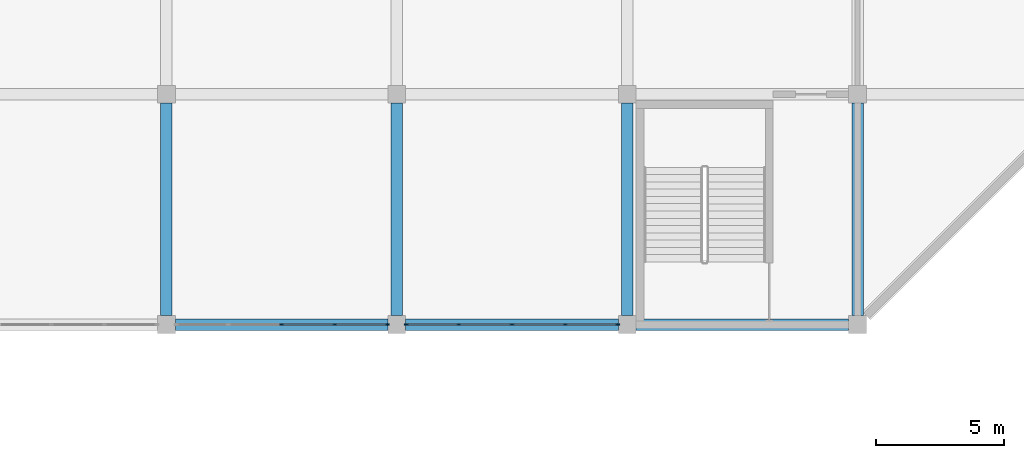
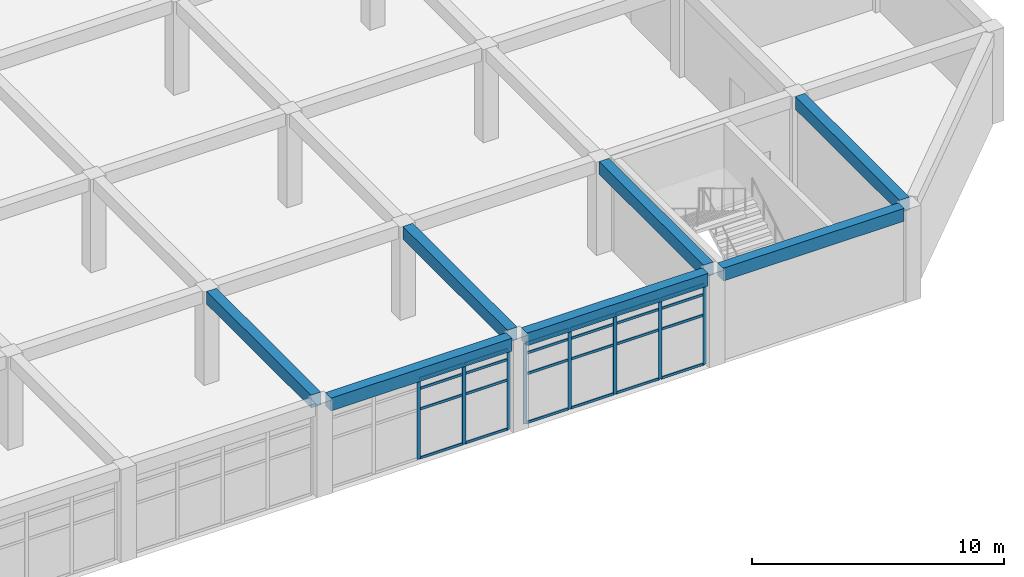
# One storey, part 11 of 42: 32 members, 7 beams, 2 elements without a shape of their own.
"""IFC4 building model written with IfcOpenShell, lengths in metres."""

import ifcopenshell
import ifcopenshell.guid

model = None  # the IFC model being written
_history = None  # IfcOwnerHistory: only IFC2X3 demands one
_inside = {}  # id of a spatial element -> (the spatial element, [elements in it])
_under = {}  # id of a project, library or spatial element -> (it, [spatial elements below it])
_declared = {}  # id of a project -> (the project, [libraries it declares])
_typed = {}  # id of a type object -> (the type object, [elements of that type])
_made_of = {}  # id of a material, layer set ... -> (it, [elements and type objects made of it])


def new_model(schema):
    """Start an empty IFC model of exactly this schema.

    Asked for "IFC4X3", IfcOpenShell would pick the latest addendum, in which some entities
    have other attributes; the version numbers below select the first issue.
    IFC2X3 requires an IfcOwnerHistory on every rooted entity: one is made here for all.
    """
    global model, _history
    if schema == "IFC4X3":
        model = ifcopenshell.file(schema_version=(4, 3, 0, 0))
    else:
        model = ifcopenshell.file(schema=schema)
    _inside.clear()
    _under.clear()
    _declared.clear()
    _typed.clear()
    _made_of.clear()
    _history = None
    if model.schema == "IFC2X3":
        org = make("IfcOrganization", Name="unknown")
        user = make(
            "IfcPersonAndOrganization",
            ThePerson=make("IfcPerson", FamilyName="unknown"),
            TheOrganization=org,
        )
        app = make(
            "IfcApplication",
            ApplicationDeveloper=org,
            Version="unknown",
            ApplicationFullName="unknown",
            ApplicationIdentifier="unknown",
        )
        _history = make(
            "IfcOwnerHistory",
            OwningUser=user,
            OwningApplication=app,
            ChangeAction="ADDED",
            CreationDate=0,
        )
    return model


def make(cls, **values):
    """One entity of the class cls with the attributes given. An attribute that is None is left unset."""
    return model.create_entity(
        cls, **{name: value for name, value in values.items() if value is not None}
    )


def rooted(cls, **values):
    """An entity with a GlobalId (a new one), such as an element, a storey or a relation."""
    return make(cls, GlobalId=ifcopenshell.guid.new(), OwnerHistory=_history, **values)


def si_unit(unit_type, name, prefix=None):
    """IfcSIUnit, for example si_unit("LENGTHUNIT", "METRE", prefix="MILLI")."""
    return make("IfcSIUnit", UnitType=unit_type, Prefix=prefix, Name=name)


def assignment(units):
    """IfcUnitAssignment: the units of a project."""
    return None if units is None else make("IfcUnitAssignment", Units=units)


def point(xyz):
    """IfcCartesianPoint."""
    return None if xyz is None else make("IfcCartesianPoint", Coordinates=xyz)


def direction(xyz):
    """IfcDirection."""
    return None if xyz is None else make("IfcDirection", DirectionRatios=xyz)


def frame(location, z_axis=None, x_axis=None):
    """IfcAxis2Placement3D, a coordinate frame: its origin and axes. An axis left out is left unset."""
    return make(
        "IfcAxis2Placement3D",
        Location=point(location),
        Axis=direction(z_axis),
        RefDirection=direction(x_axis),
    )


def frame_2d(location, x_axis=None):
    """IfcAxis2Placement2D, a coordinate frame in the plane: its origin and x axis."""
    return make(
        "IfcAxis2Placement2D", Location=point(location), RefDirection=direction(x_axis)
    )


def origin():
    """The frame at (0, 0, 0) with its axes left unset."""
    return frame((0.0, 0.0, 0.0))


def origin_2d():
    """The frame at (0, 0) in the plane with its x axis left unset."""
    return frame_2d((0.0, 0.0))


def place(relative_to, where):
    """IfcLocalPlacement: puts the frame where relative to a parent placement (None: the world)."""
    return make(
        "IfcLocalPlacement", PlacementRelTo=relative_to, RelativePlacement=where
    )


def context(
    kind, dimensions, precision=None, world=None, true_north=None, identifier=None
):
    """IfcGeometricRepresentationContext, for example the 3D "Model" context."""
    return make(
        "IfcGeometricRepresentationContext",
        ContextIdentifier=identifier,
        ContextType=kind,
        CoordinateSpaceDimension=dimensions,
        Precision=precision,
        WorldCoordinateSystem=world,
        TrueNorth=true_north,
    )


def subcontext(parent, identifier, kind, view, scale=None):
    """IfcGeometricRepresentationSubContext, for example "Body" below "Model"."""
    return make(
        "IfcGeometricRepresentationSubContext",
        ContextIdentifier=identifier,
        ContextType=kind,
        ParentContext=parent,
        TargetScale=scale,
        TargetView=view,
    )


def project(units=None, contexts=None):
    """IfcProject with its units and contexts."""
    return rooted(
        "IfcProject",
        Name="project",
        RepresentationContexts=contexts,
        UnitsInContext=assignment(units),
    )


def spatial(cls, under=None, at=None, **own):
    """A site, building, storey or space (cls), placed at a placement, below another one or the project."""
    s = rooted(cls, ObjectPlacement=at, **own)
    if under is not None:
        _under.setdefault(under.id(), (under, []))[1].append(s)
    return s


def profile(cls, at=None, kind="AREA", **sizes):
    """A parametric profile (cls). Its sizes go by their IFC names, for example OverallWidth=200.0."""
    return make(cls, ProfileType=kind, Position=at, **sizes)


def rectangle(**sizes):
    """IfcRectangleProfileDef."""
    return profile("IfcRectangleProfileDef", **sizes)


def extrude(swept, where, along, depth):
    """IfcExtrudedAreaSolid: the profile swept, set in the frame where, extruded along a direction by depth."""
    return make(
        "IfcExtrudedAreaSolid",
        SweptArea=swept,
        Position=where,
        ExtrudedDirection=direction(along),
        Depth=depth,
    )


def shape(context_of_items, identifier, shape_type, items):
    """IfcShapeRepresentation: the items that make up one representation, for example the "Body"."""
    return make(
        "IfcShapeRepresentation",
        ContextOfItems=context_of_items,
        RepresentationIdentifier=identifier,
        RepresentationType=shape_type,
        Items=items,
    )


def material(Name=None, Category=None):
    """IfcMaterial."""
    return make("IfcMaterial", Name=Name, Category=Category)


def layer(
    of_material, thickness, ventilated=None, Name=None, Category=None, Priority=None
):
    """IfcMaterialLayer: one layer of a wall or slab, of a material (None: an air gap)."""
    return make(
        "IfcMaterialLayer",
        Material=of_material,
        LayerThickness=thickness,
        IsVentilated=ventilated,
        Name=Name,
        Category=Category,
        Priority=Priority,
    )


def layer_set(layers, Name=None):
    """IfcMaterialLayerSet."""
    return make("IfcMaterialLayerSet", MaterialLayers=layers, LayerSetName=Name)


def material_profile(
    of_material, cross_section, Name=None, Category=None, Priority=None
):
    """IfcMaterialProfile: a cross section and its material."""
    return make(
        "IfcMaterialProfile",
        Name=Name,
        Material=of_material,
        Profile=cross_section,
        Priority=Priority,
        Category=Category,
    )


def profile_set(profiles, Name=None, composite=None):
    """IfcMaterialProfileSet."""
    return make(
        "IfcMaterialProfileSet",
        Name=Name,
        MaterialProfiles=profiles,
        CompositeProfile=composite,
    )


def made_of(thing, what):
    """Note that an element or type object is made of a material, layer set ...; save() writes the relation."""
    if what is not None:
        _made_of.setdefault(what.id(), (what, []))[1].append(thing)
    return thing


def type_object(cls, material=None, **own):
    """A type object (cls), such as IfcWallType, which elements share."""
    return made_of(rooted(cls, **own), material)


def element(
    cls,
    number,
    at=None,
    inside=None,
    cuts=None,
    type_object=None,
    material=None,
    context=None,
    identifier="Body",
    shape_type=None,
    held_by="IfcProductDefinitionShape",
    body=None,
    shapes=None,
    **own,
):
    """One element of the class cls, such as IfcWall. Its Tag is "e" and its number.

    at: its placement. inside: the storey or other place that contains it. cuts: it is an
    opening in that element (IfcRelVoidsElement). A single representation is given by context,
    identifier, shape_type and body (its items); several are given by shapes. held_by: the class
    of the entity that holds the representations. save() writes the other relations.
    """
    e = rooted(cls, Tag="e%d" % number, ObjectPlacement=at, **own)
    if body is not None:
        shapes = [shape(context, identifier, shape_type, body)]
    if shapes is not None:
        e.Representation = make(held_by, Representations=shapes)
    if inside is not None:
        _inside.setdefault(inside.id(), (inside, []))[1].append(e)
    if cuts is not None:
        rooted(
            "IfcRelVoidsElement", RelatingBuildingElement=cuts, RelatedOpeningElement=e
        )
    if type_object is not None:
        _typed.setdefault(type_object.id(), (type_object, []))[1].append(e)
    return made_of(e, material)


def aggregate(whole, parts):
    """IfcRelAggregates: a whole, such as a stair, and the parts it consists of."""
    return rooted("IfcRelAggregates", RelatingObject=whole, RelatedObjects=parts)


def save(model, path):
    """Write the relations noted so far, then the file.

    IfcRelAggregates (storeys below a building ...), IfcRelContainedInSpatialStructure (elements
    in a storey), IfcRelDefinesByType, IfcRelAssociatesMaterial and IfcRelDeclares: one each for
    every whole, place, type object, material and project.
    """
    for whole, parts in _under.values():
        aggregate(whole, parts)
    for where, things in _inside.values():
        rooted(
            "IfcRelContainedInSpatialStructure",
            RelatedElements=things,
            RelatingStructure=where,
        )
    for kind, things in _typed.values():
        rooted("IfcRelDefinesByType", RelatedObjects=things, RelatingType=kind)
    for what, things in _made_of.values():
        rooted("IfcRelAssociatesMaterial", RelatedObjects=things, RelatingMaterial=what)
    for by, libraries in _declared.values():
        rooted("IfcRelDeclares", RelatingContext=by, RelatedDefinitions=libraries)
    model.write(path)


model = new_model("IFC4")

# Units and contexts
model_context = context("Model", 3, precision=1e-05, world=origin(), true_north=direction((0.0, 1.0)))
body_context = subcontext(model_context, "Body", "Model", "MODEL_VIEW")
ifc_project = project(units=[si_unit("LENGTHUNIT", "METRE"), si_unit("AREAUNIT", "SQUARE_METRE"), si_unit("VOLUMEUNIT", "CUBIC_METRE"), si_unit("PLANEANGLEUNIT", "RADIAN"), si_unit("MASSUNIT", "GRAM", prefix="KILO")], contexts=[model_context])

# Site, building, storey
site_placement = place(None, origin())
site = spatial("IfcSite", under=ifc_project, at=site_placement, CompositionType="ELEMENT")
building_placement = place(site_placement, origin())
building = spatial("IfcBuilding", under=site, at=building_placement, Name="Dhurran Vertical Campus", CompositionType="ELEMENT")
storey_placement = place(building_placement, frame((0.0, 0.0, 6.0)))
storey = spatial("IfcBuildingStorey", under=building, at=storey_placement, Name="L01", CompositionType="ELEMENT", Elevation=6.0)

# Curtain wall, members
ifc_material_1 = material(Name="Aluminium", Category="aluminium")
ifc_layer = layer(ifc_material_1, 0.159912109375)
ifc_layer_set = layer_set([ifc_layer], Name="Aluminium")
curtain_wall_type = type_object("IfcCurtainWallType", Name="hl-curtain wall system", PredefinedType="NOTDEFINED", material=ifc_layer_set)
curtain_wall_1_placement = place(storey_placement, origin())
curtain_wall_1 = element("IfcCurtainWall", 1, at=curtain_wall_1_placement, inside=storey, type_object=curtain_wall_type, Name="Hall curtain wall L01-07", PredefinedType="NOTDEFINED")
ifc_material_2 = material(Name="Aluminium", Category="aluminium")
ifc_material_profile_1 = material_profile(ifc_material_2, rectangle(XDim=0.06005859375, YDim=0.159912109375, at=origin_2d()), Name="hl-cw mullion 60x160")
ifc_profile_set_1 = profile_set([ifc_material_profile_1], Name="Aluminium")
member_type_1 = type_object("IfcMemberType", Name="hl-cw mullion 60x160", PredefinedType="MULLION", material=ifc_profile_set_1)
member_1_placement = place(storey_placement, frame((102.0, -27.0, 0.0), z_axis=(0.0, 0.0, 1.0), x_axis=(0.0, 1.0, 0.0)))
member_1 = element("IfcMember", 2, at=member_1_placement, type_object=member_type_1, Name="HCW mullion 3", PredefinedType="MULLION", context=body_context, shape_type="SweptSolid", body=[
    extrude(rectangle(XDim=0.06005859375, YDim=0.159912109375, at=origin_2d()), origin(), (0.0, 0.0, 1.0), 3.89990234375),
])
member_2_placement = place(storey_placement, frame((104.074951171875, -27.0, 0.0), z_axis=(0.0, 0.0, 1.0), x_axis=(0.0, 1.0, 0.0)))
member_2 = element("IfcMember", 3, at=member_2_placement, type_object=member_type_1, Name="HCW mullion 4", PredefinedType="MULLION", context=body_context, shape_type="SweptSolid", body=[
    extrude(rectangle(XDim=0.06005859375, YDim=0.159912109375, at=origin_2d()), origin(), (0.0, 0.0, 1.0), 3.89990234375),
])
member_3_placement = place(storey_placement, frame((106.1201171875, -27.0, 0.0), z_axis=(0.0, 0.0, 1.0), x_axis=(0.0, 1.0, 0.0)))
member_3 = element("IfcMember", 4, at=member_3_placement, type_object=member_type_1, Name="HCW mullion 5", PredefinedType="MULLION", context=body_context, shape_type="SweptSolid", body=[
    extrude(rectangle(XDim=0.06005859375, YDim=0.159912109375, at=origin_2d()), origin(), (0.0, 0.0, 1.0), 3.89990234375),
])

curtain_wall_2_placement = place(storey_placement, origin())
curtain_wall_2 = element("IfcCurtainWall", 5, at=curtain_wall_2_placement, inside=storey, type_object=curtain_wall_type, Name="Hall curtain wall L01-08", PredefinedType="NOTDEFINED")
member_4_placement = place(storey_placement, frame((106.8798828125, -27.0, 0.0), z_axis=(0.0, 0.0, 1.0), x_axis=(0.0, 1.0, 0.0)))
member_4 = element("IfcMember", 6, at=member_4_placement, type_object=member_type_1, Name="HCW mullion 1", PredefinedType="MULLION", context=body_context, shape_type="SweptSolid", body=[
    extrude(rectangle(XDim=0.06005859375, YDim=0.159912109375, at=origin_2d()), origin(), (0.0, 0.0, 1.0), 3.89990234375),
])
member_5_placement = place(storey_placement, frame((108.925048828125, -27.0, 0.0), z_axis=(0.0, 0.0, 1.0), x_axis=(0.0, 1.0, 0.0)))
member_5 = element("IfcMember", 7, at=member_5_placement, type_object=member_type_1, Name="HCW mullion 2", PredefinedType="MULLION", context=body_context, shape_type="SweptSolid", body=[
    extrude(rectangle(XDim=0.06005859375, YDim=0.159912109375, at=origin_2d()), origin(), (0.0, 0.0, 1.0), 3.89990234375),
])
member_6_placement = place(storey_placement, frame((111.0, -27.0, 0.0), z_axis=(0.0, 0.0, 1.0), x_axis=(0.0, 1.0, 0.0)))
member_6 = element("IfcMember", 8, at=member_6_placement, type_object=member_type_1, Name="HCW mullion 3", PredefinedType="MULLION", context=body_context, shape_type="SweptSolid", body=[
    extrude(rectangle(XDim=0.06005859375, YDim=0.159912109375, at=origin_2d()), origin(), (0.0, 0.0, 1.0), 3.89990234375),
])
member_7_placement = place(storey_placement, frame((113.074951171875, -27.0, 0.0), z_axis=(0.0, 0.0, 1.0), x_axis=(0.0, 1.0, 0.0)))
member_7 = element("IfcMember", 9, at=member_7_placement, type_object=member_type_1, Name="HCW mullion 4", PredefinedType="MULLION", context=body_context, shape_type="SweptSolid", body=[
    extrude(rectangle(XDim=0.06005859375, YDim=0.159912109375, at=origin_2d()), origin(), (0.0, 0.0, 1.0), 3.89990234375),
])
member_8_placement = place(storey_placement, frame((115.1201171875, -27.0, 0.0), z_axis=(0.0, 0.0, 1.0), x_axis=(0.0, 1.0, 0.0)))
member_8 = element("IfcMember", 10, at=member_8_placement, type_object=member_type_1, Name="HCW mullion 5", PredefinedType="MULLION", context=body_context, shape_type="SweptSolid", body=[
    extrude(rectangle(XDim=0.06005859375, YDim=0.159912109375, at=origin_2d()), origin(), (0.0, 0.0, 1.0), 3.89990234375),
])

# Member
ifc_material_3 = material(Name="Aluminium", Category="aluminium")
ifc_material_profile_2 = material_profile(ifc_material_3, rectangle(XDim=0.06005859375, YDim=0.1201171875, at=origin_2d()), Name="hl-cw transom 60x120")
ifc_profile_set_2 = profile_set([ifc_material_profile_2], Name="Aluminium")
member_type_2 = type_object("IfcMemberType", Name="hl-cw transom 60x120", PredefinedType="USERDEFINED", material=ifc_profile_set_2)
member_9_placement = place(storey_placement, frame((102.030029296875, -27.0, 0.030029296875), z_axis=(1.0, 0.0, 0.0), x_axis=(0.0, 1.0, 0.0)))
member_9 = element("IfcMember", 11, at=member_9_placement, type_object=member_type_2, Name="HCW transom 3.1", ObjectType="TRANSOM", PredefinedType="USERDEFINED", context=body_context, shape_type="SweptSolid", body=[
    extrude(rectangle(XDim=0.06005859375, YDim=0.1201171875, at=origin_2d()), origin(), (0.0, 0.0, 1.0), 2.014892578125),
])

member_10_placement = place(storey_placement, frame((102.030029296875, -27.0, 2.39990234375), z_axis=(1.0, 0.0, 0.0), x_axis=(0.0, 1.0, 0.0)))
member_10 = element("IfcMember", 12, at=member_10_placement, type_object=member_type_2, Name="HCW transom 3.2", ObjectType="TRANSOM", PredefinedType="USERDEFINED", context=body_context, shape_type="SweptSolid", body=[
    extrude(rectangle(XDim=0.06005859375, YDim=0.1201171875, at=origin_2d()), origin(), (0.0, 0.0, 1.0), 2.014892578125),
])

member_11_placement = place(storey_placement, frame((102.030029296875, -27.0, 3.39990234375), z_axis=(1.0, 0.0, 0.0), x_axis=(0.0, 1.0, 0.0)))
member_11 = element("IfcMember", 13, at=member_11_placement, type_object=member_type_2, Name="HCW transom 3.3", ObjectType="TRANSOM", PredefinedType="USERDEFINED", context=body_context, shape_type="SweptSolid", body=[
    extrude(rectangle(XDim=0.06005859375, YDim=0.1201171875, at=origin_2d()), origin(), (0.0, 0.0, 1.0), 2.014892578125),
])

member_12_placement = place(storey_placement, frame((102.030029296875, -27.0, 3.8701171875), z_axis=(1.0, 0.0, 0.0), x_axis=(0.0, 1.0, 0.0)))
member_12 = element("IfcMember", 14, at=member_12_placement, type_object=member_type_2, Name="HCW transom 3.4", ObjectType="TRANSOM", PredefinedType="USERDEFINED", context=body_context, shape_type="SweptSolid", body=[
    extrude(rectangle(XDim=0.06005859375, YDim=0.1201171875, at=origin_2d()), origin(), (0.0, 0.0, 1.0), 2.014892578125),
])

member_13_placement = place(storey_placement, frame((104.10498046875, -27.0, 0.030029296875), z_axis=(1.0, 0.0, 0.0), x_axis=(0.0, 1.0, 0.0)))
member_13 = element("IfcMember", 15, at=member_13_placement, type_object=member_type_2, Name="HCW transom 4.1", ObjectType="TRANSOM", PredefinedType="USERDEFINED", context=body_context, shape_type="SweptSolid", body=[
    extrude(rectangle(XDim=0.06005859375, YDim=0.1201171875, at=origin_2d()), origin(), (0.0, 0.0, 1.0), 1.985107421875),
])

member_14_placement = place(storey_placement, frame((104.10498046875, -27.0, 2.39990234375), z_axis=(1.0, 0.0, 0.0), x_axis=(0.0, 1.0, 0.0)))
member_14 = element("IfcMember", 16, at=member_14_placement, type_object=member_type_2, Name="HCW transom 4.2", ObjectType="TRANSOM", PredefinedType="USERDEFINED", context=body_context, shape_type="SweptSolid", body=[
    extrude(rectangle(XDim=0.06005859375, YDim=0.1201171875, at=origin_2d()), origin(), (0.0, 0.0, 1.0), 1.985107421875),
])

member_15_placement = place(storey_placement, frame((104.10498046875, -27.0, 3.39990234375), z_axis=(1.0, 0.0, 0.0), x_axis=(0.0, 1.0, 0.0)))
member_15 = element("IfcMember", 17, at=member_15_placement, type_object=member_type_2, Name="HCW transom 4.3", ObjectType="TRANSOM", PredefinedType="USERDEFINED", context=body_context, shape_type="SweptSolid", body=[
    extrude(rectangle(XDim=0.06005859375, YDim=0.1201171875, at=origin_2d()), origin(), (0.0, 0.0, 1.0), 1.985107421875),
])

member_16_placement = place(storey_placement, frame((104.10498046875, -27.0, 3.8701171875), z_axis=(1.0, 0.0, 0.0), x_axis=(0.0, 1.0, 0.0)))
member_16 = element("IfcMember", 18, at=member_16_placement, type_object=member_type_2, Name="HCW transom 4.4", ObjectType="TRANSOM", PredefinedType="USERDEFINED", context=body_context, shape_type="SweptSolid", body=[
    extrude(rectangle(XDim=0.06005859375, YDim=0.1201171875, at=origin_2d()), origin(), (0.0, 0.0, 1.0), 1.985107421875),
])

aggregate(curtain_wall_1, [member_1, member_2, member_3, member_9, member_10, member_11, member_12, member_13, member_14, member_15, member_16])

member_17_placement = place(storey_placement, frame((106.909912109375, -27.0, 0.030029296875), z_axis=(1.0, 0.0, 0.0), x_axis=(0.0, 1.0, 0.0)))
member_17 = element("IfcMember", 19, at=member_17_placement, type_object=member_type_2, Name="HCW transom 1.1", ObjectType="TRANSOM", PredefinedType="USERDEFINED", context=body_context, shape_type="SweptSolid", body=[
    extrude(rectangle(XDim=0.06005859375, YDim=0.1201171875, at=origin_2d()), origin(), (0.0, 0.0, 1.0), 1.985107421875),
])

member_18_placement = place(storey_placement, frame((106.909912109375, -27.0, 2.39990234375), z_axis=(1.0, 0.0, 0.0), x_axis=(0.0, 1.0, 0.0)))
member_18 = element("IfcMember", 20, at=member_18_placement, type_object=member_type_2, Name="HCW transom 1.2", ObjectType="TRANSOM", PredefinedType="USERDEFINED", context=body_context, shape_type="SweptSolid", body=[
    extrude(rectangle(XDim=0.06005859375, YDim=0.1201171875, at=origin_2d()), origin(), (0.0, 0.0, 1.0), 1.985107421875),
])

member_19_placement = place(storey_placement, frame((106.909912109375, -27.0, 3.39990234375), z_axis=(1.0, 0.0, 0.0), x_axis=(0.0, 1.0, 0.0)))
member_19 = element("IfcMember", 21, at=member_19_placement, type_object=member_type_2, Name="HCW transom 1.3", ObjectType="TRANSOM", PredefinedType="USERDEFINED", context=body_context, shape_type="SweptSolid", body=[
    extrude(rectangle(XDim=0.06005859375, YDim=0.1201171875, at=origin_2d()), origin(), (0.0, 0.0, 1.0), 1.985107421875),
])

member_20_placement = place(storey_placement, frame((106.909912109375, -27.0, 3.8701171875), z_axis=(1.0, 0.0, 0.0), x_axis=(0.0, 1.0, 0.0)))
member_20 = element("IfcMember", 22, at=member_20_placement, type_object=member_type_2, Name="HCW transom 1.4", ObjectType="TRANSOM", PredefinedType="USERDEFINED", context=body_context, shape_type="SweptSolid", body=[
    extrude(rectangle(XDim=0.06005859375, YDim=0.1201171875, at=origin_2d()), origin(), (0.0, 0.0, 1.0), 1.985107421875),
])

member_21_placement = place(storey_placement, frame((108.955078125, -27.0, 0.030029296875), z_axis=(1.0, 0.0, 0.0), x_axis=(0.0, 1.0, 0.0)))
member_21 = element("IfcMember", 23, at=member_21_placement, type_object=member_type_2, Name="HCW transom 2.1", ObjectType="TRANSOM", PredefinedType="USERDEFINED", context=body_context, shape_type="SweptSolid", body=[
    extrude(rectangle(XDim=0.06005859375, YDim=0.1201171875, at=origin_2d()), origin(), (0.0, 0.0, 1.0), 2.014892578125),
])

member_22_placement = place(storey_placement, frame((108.955078125, -27.0, 2.39990234375), z_axis=(1.0, 0.0, 0.0), x_axis=(0.0, 1.0, 0.0)))
member_22 = element("IfcMember", 24, at=member_22_placement, type_object=member_type_2, Name="HCW transom 2.2", ObjectType="TRANSOM", PredefinedType="USERDEFINED", context=body_context, shape_type="SweptSolid", body=[
    extrude(rectangle(XDim=0.06005859375, YDim=0.1201171875, at=origin_2d()), origin(), (0.0, 0.0, 1.0), 2.014892578125),
])

member_23_placement = place(storey_placement, frame((108.955078125, -27.0, 3.39990234375), z_axis=(1.0, 0.0, 0.0), x_axis=(0.0, 1.0, 0.0)))
member_23 = element("IfcMember", 25, at=member_23_placement, type_object=member_type_2, Name="HCW transom 2.3", ObjectType="TRANSOM", PredefinedType="USERDEFINED", context=body_context, shape_type="SweptSolid", body=[
    extrude(rectangle(XDim=0.06005859375, YDim=0.1201171875, at=origin_2d()), origin(), (0.0, 0.0, 1.0), 2.014892578125),
])

member_24_placement = place(storey_placement, frame((108.955078125, -27.0, 3.8701171875), z_axis=(1.0, 0.0, 0.0), x_axis=(0.0, 1.0, 0.0)))
member_24 = element("IfcMember", 26, at=member_24_placement, type_object=member_type_2, Name="HCW transom 2.4", ObjectType="TRANSOM", PredefinedType="USERDEFINED", context=body_context, shape_type="SweptSolid", body=[
    extrude(rectangle(XDim=0.06005859375, YDim=0.1201171875, at=origin_2d()), origin(), (0.0, 0.0, 1.0), 2.014892578125),
])

member_25_placement = place(storey_placement, frame((111.030029296875, -27.0, 0.030029296875), z_axis=(1.0, 0.0, 0.0), x_axis=(0.0, 1.0, 0.0)))
member_25 = element("IfcMember", 27, at=member_25_placement, type_object=member_type_2, Name="HCW transom 3.1", ObjectType="TRANSOM", PredefinedType="USERDEFINED", context=body_context, shape_type="SweptSolid", body=[
    extrude(rectangle(XDim=0.06005859375, YDim=0.1201171875, at=origin_2d()), origin(), (0.0, 0.0, 1.0), 2.014892578125),
])

member_26_placement = place(storey_placement, frame((111.030029296875, -27.0, 2.39990234375), z_axis=(1.0, 0.0, 0.0), x_axis=(0.0, 1.0, 0.0)))
member_26 = element("IfcMember", 28, at=member_26_placement, type_object=member_type_2, Name="HCW transom 3.2", ObjectType="TRANSOM", PredefinedType="USERDEFINED", context=body_context, shape_type="SweptSolid", body=[
    extrude(rectangle(XDim=0.06005859375, YDim=0.1201171875, at=origin_2d()), origin(), (0.0, 0.0, 1.0), 2.014892578125),
])

member_27_placement = place(storey_placement, frame((111.030029296875, -27.0, 3.39990234375), z_axis=(1.0, 0.0, 0.0), x_axis=(0.0, 1.0, 0.0)))
member_27 = element("IfcMember", 29, at=member_27_placement, type_object=member_type_2, Name="HCW transom 3.3", ObjectType="TRANSOM", PredefinedType="USERDEFINED", context=body_context, shape_type="SweptSolid", body=[
    extrude(rectangle(XDim=0.06005859375, YDim=0.1201171875, at=origin_2d()), origin(), (0.0, 0.0, 1.0), 2.014892578125),
])

member_28_placement = place(storey_placement, frame((111.030029296875, -27.0, 3.8701171875), z_axis=(1.0, 0.0, 0.0), x_axis=(0.0, 1.0, 0.0)))
member_28 = element("IfcMember", 30, at=member_28_placement, type_object=member_type_2, Name="HCW transom 3.4", ObjectType="TRANSOM", PredefinedType="USERDEFINED", context=body_context, shape_type="SweptSolid", body=[
    extrude(rectangle(XDim=0.06005859375, YDim=0.1201171875, at=origin_2d()), origin(), (0.0, 0.0, 1.0), 2.014892578125),
])

member_29_placement = place(storey_placement, frame((113.10498046875, -27.0, 0.030029296875), z_axis=(1.0, 0.0, 0.0), x_axis=(0.0, 1.0, 0.0)))
member_29 = element("IfcMember", 31, at=member_29_placement, type_object=member_type_2, Name="HCW transom 4.1", ObjectType="TRANSOM", PredefinedType="USERDEFINED", context=body_context, shape_type="SweptSolid", body=[
    extrude(rectangle(XDim=0.06005859375, YDim=0.1201171875, at=origin_2d()), origin(), (0.0, 0.0, 1.0), 1.985107421875),
])

member_30_placement = place(storey_placement, frame((113.10498046875, -27.0, 2.39990234375), z_axis=(1.0, 0.0, 0.0), x_axis=(0.0, 1.0, 0.0)))
member_30 = element("IfcMember", 32, at=member_30_placement, type_object=member_type_2, Name="HCW transom 4.2", ObjectType="TRANSOM", PredefinedType="USERDEFINED", context=body_context, shape_type="SweptSolid", body=[
    extrude(rectangle(XDim=0.06005859375, YDim=0.1201171875, at=origin_2d()), origin(), (0.0, 0.0, 1.0), 1.985107421875),
])

member_31_placement = place(storey_placement, frame((113.10498046875, -27.0, 3.39990234375), z_axis=(1.0, 0.0, 0.0), x_axis=(0.0, 1.0, 0.0)))
member_31 = element("IfcMember", 33, at=member_31_placement, type_object=member_type_2, Name="HCW transom 4.3", ObjectType="TRANSOM", PredefinedType="USERDEFINED", context=body_context, shape_type="SweptSolid", body=[
    extrude(rectangle(XDim=0.06005859375, YDim=0.1201171875, at=origin_2d()), origin(), (0.0, 0.0, 1.0), 1.985107421875),
])

member_32_placement = place(storey_placement, frame((113.10498046875, -27.0, 3.8701171875), z_axis=(1.0, 0.0, 0.0), x_axis=(0.0, 1.0, 0.0)))
member_32 = element("IfcMember", 34, at=member_32_placement, type_object=member_type_2, Name="HCW transom 4.4", ObjectType="TRANSOM", PredefinedType="USERDEFINED", context=body_context, shape_type="SweptSolid", body=[
    extrude(rectangle(XDim=0.06005859375, YDim=0.1201171875, at=origin_2d()), origin(), (0.0, 0.0, 1.0), 1.985107421875),
])

aggregate(curtain_wall_2, [member_4, member_5, member_6, member_7, member_8, member_17, member_18, member_19, member_20, member_21, member_22, member_23, member_24, member_25, member_26, member_27, member_28, member_29, member_30, member_31, member_32])

# Beams
ifc_material_4 = material(Name="Concrete C40/50", Category="concrete")
ifc_material_profile_3 = material_profile(ifc_material_4, rectangle(XDim=0.449951171875, YDim=0.6201171875, at=origin_2d()), Name="hl-girder 450x620")
ifc_profile_set_3 = profile_set([ifc_material_profile_3], Name="Concrete C40/50")
beam_type = type_object("IfcBeamType", Name="hl-girder 450x620", PredefinedType="BEAM", material=ifc_profile_set_3)
for number, where, z_axis, x_axis, name in (
    (35, (97.5, -26.64990234375, 4.2099609375), (0.0, 1.0, 0.0), (-1.0, 0.0, 0.0), "Hall girder L01-051"),
    (36, (97.85009765625, -27.0, 4.2099609375), (1.0, 0.0, 0.0), (0.0, 1.0, 0.0), "Hall girder L01-052"),
    (37, (106.5, -26.64990234375, 4.2099609375), (0.0, 1.0, 0.0), (-1.0, 0.0, 0.0), "Hall girder L01-064"),
    (38, (106.85009765625, -27.0, 4.2099609375), (1.0, 0.0, 0.0), (0.0, 1.0, 0.0), "Hall girder L01-065"),
    (39, (115.5, -26.64990234375, 4.2099609375), (0.0, 1.0, 0.0), (-1.0, 0.0, 0.0), "Hall girder L01-077"),
    (40, (115.85009765625, -27.0, 4.2099609375), (1.0, 0.0, 0.0), (0.0, 1.0, 0.0), "Hall girder L01-078"),
    (41, (124.5, -26.64990234375, 4.2099609375), (0.0, 1.0, 0.0), (-1.0, 0.0, 0.0), "Hall girder L01-090"),
):
    element("IfcBeam", number, at=place(storey_placement, frame(where, z_axis=z_axis, x_axis=x_axis)), inside=storey, type_object=beam_type, Name=name, PredefinedType="BEAM", context=body_context, shape_type="SweptSolid", body=[
        extrude(rectangle(XDim=0.449951171875, YDim=0.6201171875, at=origin_2d()), origin(), (0.0, 0.0, 1.0), 8.2998046875),
    ])

save(model, "model.ifc")
